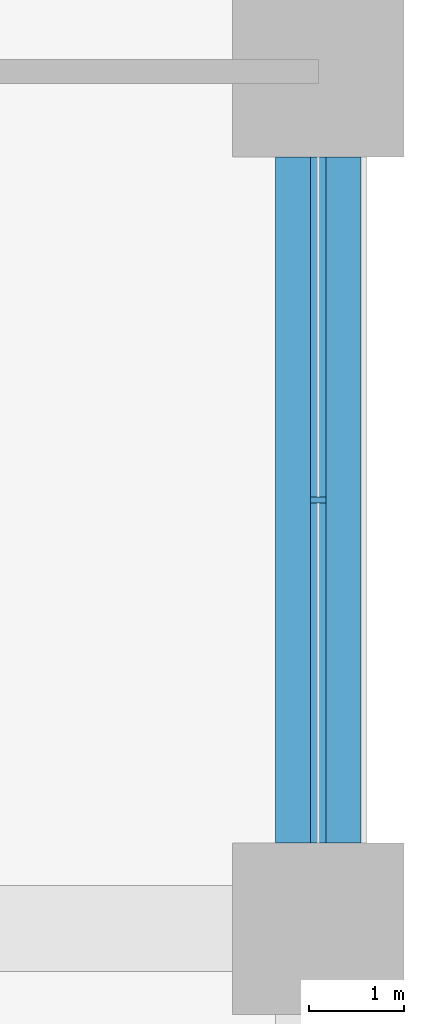
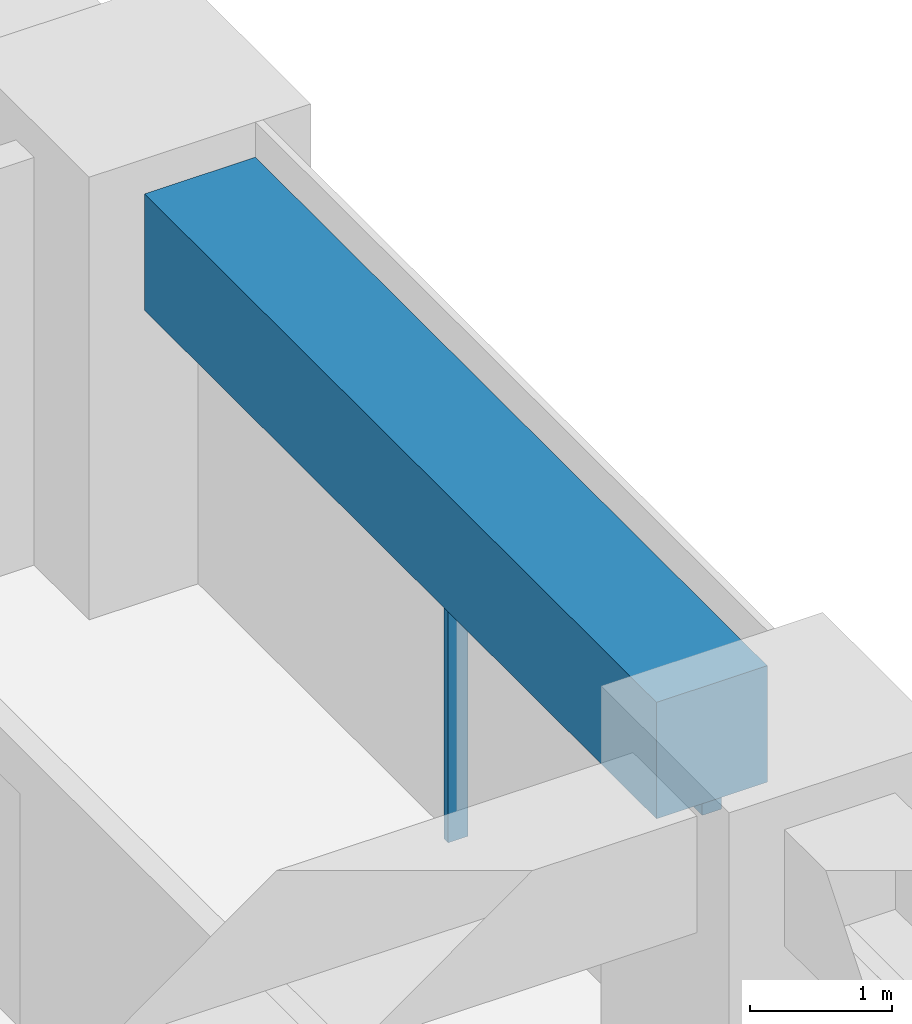
# One storey, part 6 of 24: 2 members, 1 beam, 1 element without a shape of its own.
"""IFC4 building model written with IfcOpenShell, lengths in metres."""

import ifcopenshell
import ifcopenshell.guid

model = None  # the IFC model being written
_history = None  # IfcOwnerHistory: only IFC2X3 demands one
_inside = {}  # id of a spatial element -> (the spatial element, [elements in it])
_under = {}  # id of a project, library or spatial element -> (it, [spatial elements below it])
_declared = {}  # id of a project -> (the project, [libraries it declares])
_typed = {}  # id of a type object -> (the type object, [elements of that type])
_made_of = {}  # id of a material, layer set ... -> (it, [elements and type objects made of it])


def new_model(schema):
    """Start an empty IFC model of exactly this schema.

    Asked for "IFC4X3", IfcOpenShell would pick the latest addendum, in which some entities
    have other attributes; the version numbers below select the first issue.
    IFC2X3 requires an IfcOwnerHistory on every rooted entity: one is made here for all.
    """
    global model, _history
    if schema == "IFC4X3":
        model = ifcopenshell.file(schema_version=(4, 3, 0, 0))
    else:
        model = ifcopenshell.file(schema=schema)
    _inside.clear()
    _under.clear()
    _declared.clear()
    _typed.clear()
    _made_of.clear()
    _history = None
    if model.schema == "IFC2X3":
        org = make("IfcOrganization", Name="unknown")
        user = make(
            "IfcPersonAndOrganization",
            ThePerson=make("IfcPerson", FamilyName="unknown"),
            TheOrganization=org,
        )
        app = make(
            "IfcApplication",
            ApplicationDeveloper=org,
            Version="unknown",
            ApplicationFullName="unknown",
            ApplicationIdentifier="unknown",
        )
        _history = make(
            "IfcOwnerHistory",
            OwningUser=user,
            OwningApplication=app,
            ChangeAction="ADDED",
            CreationDate=0,
        )
    return model


def make(cls, **values):
    """One entity of the class cls with the attributes given. An attribute that is None is left unset."""
    return model.create_entity(
        cls, **{name: value for name, value in values.items() if value is not None}
    )


def rooted(cls, **values):
    """An entity with a GlobalId (a new one), such as an element, a storey or a relation."""
    return make(cls, GlobalId=ifcopenshell.guid.new(), OwnerHistory=_history, **values)


def si_unit(unit_type, name, prefix=None):
    """IfcSIUnit, for example si_unit("LENGTHUNIT", "METRE", prefix="MILLI")."""
    return make("IfcSIUnit", UnitType=unit_type, Prefix=prefix, Name=name)


def assignment(units):
    """IfcUnitAssignment: the units of a project."""
    return None if units is None else make("IfcUnitAssignment", Units=units)


def point(xyz):
    """IfcCartesianPoint."""
    return None if xyz is None else make("IfcCartesianPoint", Coordinates=xyz)


def direction(xyz):
    """IfcDirection."""
    return None if xyz is None else make("IfcDirection", DirectionRatios=xyz)


def frame(location, z_axis=None, x_axis=None):
    """IfcAxis2Placement3D, a coordinate frame: its origin and axes. An axis left out is left unset."""
    return make(
        "IfcAxis2Placement3D",
        Location=point(location),
        Axis=direction(z_axis),
        RefDirection=direction(x_axis),
    )


def frame_2d(location, x_axis=None):
    """IfcAxis2Placement2D, a coordinate frame in the plane: its origin and x axis."""
    return make(
        "IfcAxis2Placement2D", Location=point(location), RefDirection=direction(x_axis)
    )


def origin():
    """The frame at (0, 0, 0) with its axes left unset."""
    return frame((0.0, 0.0, 0.0))


def origin_2d():
    """The frame at (0, 0) in the plane with its x axis left unset."""
    return frame_2d((0.0, 0.0))


def place(relative_to, where):
    """IfcLocalPlacement: puts the frame where relative to a parent placement (None: the world)."""
    return make(
        "IfcLocalPlacement", PlacementRelTo=relative_to, RelativePlacement=where
    )


def context(
    kind, dimensions, precision=None, world=None, true_north=None, identifier=None
):
    """IfcGeometricRepresentationContext, for example the 3D "Model" context."""
    return make(
        "IfcGeometricRepresentationContext",
        ContextIdentifier=identifier,
        ContextType=kind,
        CoordinateSpaceDimension=dimensions,
        Precision=precision,
        WorldCoordinateSystem=world,
        TrueNorth=true_north,
    )


def subcontext(parent, identifier, kind, view, scale=None):
    """IfcGeometricRepresentationSubContext, for example "Body" below "Model"."""
    return make(
        "IfcGeometricRepresentationSubContext",
        ContextIdentifier=identifier,
        ContextType=kind,
        ParentContext=parent,
        TargetScale=scale,
        TargetView=view,
    )


def project(units=None, contexts=None):
    """IfcProject with its units and contexts."""
    return rooted(
        "IfcProject",
        Name="project",
        RepresentationContexts=contexts,
        UnitsInContext=assignment(units),
    )


def spatial(cls, under=None, at=None, **own):
    """A site, building, storey or space (cls), placed at a placement, below another one or the project."""
    s = rooted(cls, ObjectPlacement=at, **own)
    if under is not None:
        _under.setdefault(under.id(), (under, []))[1].append(s)
    return s


def profile(cls, at=None, kind="AREA", **sizes):
    """A parametric profile (cls). Its sizes go by their IFC names, for example OverallWidth=200.0."""
    return make(cls, ProfileType=kind, Position=at, **sizes)


def rectangle(**sizes):
    """IfcRectangleProfileDef."""
    return profile("IfcRectangleProfileDef", **sizes)


def extrude(swept, where, along, depth):
    """IfcExtrudedAreaSolid: the profile swept, set in the frame where, extruded along a direction by depth."""
    return make(
        "IfcExtrudedAreaSolid",
        SweptArea=swept,
        Position=where,
        ExtrudedDirection=direction(along),
        Depth=depth,
    )


def shape(context_of_items, identifier, shape_type, items):
    """IfcShapeRepresentation: the items that make up one representation, for example the "Body"."""
    return make(
        "IfcShapeRepresentation",
        ContextOfItems=context_of_items,
        RepresentationIdentifier=identifier,
        RepresentationType=shape_type,
        Items=items,
    )


def material(Name=None, Category=None):
    """IfcMaterial."""
    return make("IfcMaterial", Name=Name, Category=Category)


def material_profile(
    of_material, cross_section, Name=None, Category=None, Priority=None
):
    """IfcMaterialProfile: a cross section and its material."""
    return make(
        "IfcMaterialProfile",
        Name=Name,
        Material=of_material,
        Profile=cross_section,
        Priority=Priority,
        Category=Category,
    )


def profile_set(profiles, Name=None, composite=None):
    """IfcMaterialProfileSet."""
    return make(
        "IfcMaterialProfileSet",
        Name=Name,
        MaterialProfiles=profiles,
        CompositeProfile=composite,
    )


def made_of(thing, what):
    """Note that an element or type object is made of a material, layer set ...; save() writes the relation."""
    if what is not None:
        _made_of.setdefault(what.id(), (what, []))[1].append(thing)
    return thing


def type_object(cls, material=None, **own):
    """A type object (cls), such as IfcWallType, which elements share."""
    return made_of(rooted(cls, **own), material)


def element(
    cls,
    number,
    at=None,
    inside=None,
    cuts=None,
    type_object=None,
    material=None,
    context=None,
    identifier="Body",
    shape_type=None,
    held_by="IfcProductDefinitionShape",
    body=None,
    shapes=None,
    **own,
):
    """One element of the class cls, such as IfcWall. Its Tag is "e" and its number.

    at: its placement. inside: the storey or other place that contains it. cuts: it is an
    opening in that element (IfcRelVoidsElement). A single representation is given by context,
    identifier, shape_type and body (its items); several are given by shapes. held_by: the class
    of the entity that holds the representations. save() writes the other relations.
    """
    e = rooted(cls, Tag="e%d" % number, ObjectPlacement=at, **own)
    if body is not None:
        shapes = [shape(context, identifier, shape_type, body)]
    if shapes is not None:
        e.Representation = make(held_by, Representations=shapes)
    if inside is not None:
        _inside.setdefault(inside.id(), (inside, []))[1].append(e)
    if cuts is not None:
        rooted(
            "IfcRelVoidsElement", RelatingBuildingElement=cuts, RelatedOpeningElement=e
        )
    if type_object is not None:
        _typed.setdefault(type_object.id(), (type_object, []))[1].append(e)
    return made_of(e, material)


def aggregate(whole, parts):
    """IfcRelAggregates: a whole, such as a stair, and the parts it consists of."""
    return rooted("IfcRelAggregates", RelatingObject=whole, RelatedObjects=parts)


def save(model, path):
    """Write the relations noted so far, then the file.

    IfcRelAggregates (storeys below a building ...), IfcRelContainedInSpatialStructure (elements
    in a storey), IfcRelDefinesByType, IfcRelAssociatesMaterial and IfcRelDeclares: one each for
    every whole, place, type object, material and project.
    """
    for whole, parts in _under.values():
        aggregate(whole, parts)
    for where, things in _inside.values():
        rooted(
            "IfcRelContainedInSpatialStructure",
            RelatedElements=things,
            RelatingStructure=where,
        )
    for kind, things in _typed.values():
        rooted("IfcRelDefinesByType", RelatedObjects=things, RelatingType=kind)
    for what, things in _made_of.values():
        rooted("IfcRelAssociatesMaterial", RelatedObjects=things, RelatingMaterial=what)
    for by, libraries in _declared.values():
        rooted("IfcRelDeclares", RelatingContext=by, RelatedDefinitions=libraries)
    model.write(path)


model = new_model("IFC4")

# Units and contexts
model_context = context("Model", 3, precision=1e-05, world=origin(), true_north=direction((0.0, 1.0)))
body_context = subcontext(model_context, "Body", "Model", "MODEL_VIEW")
ifc_project = project(units=[si_unit("LENGTHUNIT", "METRE"), si_unit("AREAUNIT", "SQUARE_METRE"), si_unit("VOLUMEUNIT", "CUBIC_METRE"), si_unit("PLANEANGLEUNIT", "RADIAN"), si_unit("MASSUNIT", "GRAM", prefix="KILO")], contexts=[model_context])

# Site, building, storey
site_placement = place(None, origin())
site = spatial("IfcSite", under=ifc_project, at=site_placement, CompositionType="ELEMENT")
building_placement = place(site_placement, origin())
building = spatial("IfcBuilding", under=site, at=building_placement, Name="Tessera Arch", CompositionType="ELEMENT")
storey_placement = place(building_placement, frame((0.0, 0.0, 112.0)))
storey = spatial("IfcBuildingStorey", under=building, at=storey_placement, Name="L26", CompositionType="ELEMENT", Elevation=112.0)

# Curtain wall, members
ifc_material_1 = material(Name="CW1 curtain wall")
curtain_wall_type = type_object("IfcCurtainWallType", Name="CW1 curtain wall", PredefinedType="NOTDEFINED", material=ifc_material_1)
curtain_wall_placement = place(storey_placement, origin())
curtain_wall = element("IfcCurtainWall", 1, at=curtain_wall_placement, inside=storey, type_object=curtain_wall_type, Name="CW1 curtain wall E54.0/3 L26", PredefinedType="NOTDEFINED")
ifc_material_2 = material(Name="Anodised aluminium pale metal", Category="aluminium")
ifc_material_profile_1 = material_profile(ifc_material_2, rectangle(XDim=0.159912109375, YDim=0.06005859375, at=origin_2d()), Name="AL 60x160")
ifc_profile_set_1 = profile_set([ifc_material_profile_1], Name="Anodised aluminium pale metal")
member_type_1 = type_object("IfcMemberType", Name="CW1 mullion", PredefinedType="MULLION", material=ifc_profile_set_1)
member_1_placement = place(storey_placement, frame((54.0, 31.5, 0.0), z_axis=(0.0, 0.0, 1.0), x_axis=(-1.0, 0.0, 0.0)))
member_1 = element("IfcMember", 2, at=member_1_placement, type_object=member_type_1, Name="CW1 mullion E54.0/3 1", PredefinedType="MULLION", context=body_context, shape_type="SweptSolid", body=[
    extrude(rectangle(XDim=0.159912109375, YDim=0.06005859375, at=origin_2d()), origin(), (0.0, 0.0, 1.0), 2.39990234375),
])
ifc_material_3 = material(Name="Anodised aluminium pale metal", Category="aluminium")
ifc_material_profile_2 = material_profile(ifc_material_3, rectangle(XDim=0.159912109375, YDim=0.10009765625, at=origin_2d()), Name="AL 160x100")
ifc_profile_set_2 = profile_set([ifc_material_profile_2], Name="Anodised aluminium pale metal")
member_type_2 = type_object("IfcMemberType", Name="CW1 transom", PredefinedType="USERDEFINED", material=ifc_profile_set_2)
member_2_placement = place(storey_placement, frame((54.0, 27.89990234375, 2.449951171875), z_axis=(0.0, 1.0, 0.0), x_axis=(-1.0, 0.0, 0.0)))
member_2 = element("IfcMember", 3, at=member_2_placement, type_object=member_type_2, Name="CW1 transom E54.0/3 1.1", ObjectType="TRANSOM", PredefinedType="USERDEFINED", context=body_context, shape_type="SweptSolid", body=[
    extrude(rectangle(XDim=0.159912109375, YDim=0.10009765625, at=origin_2d()), origin(), (0.0, 0.0, 1.0), 7.2001953125),
])
aggregate(curtain_wall, [member_1, member_2])

# Beam
ifc_material_4 = material(Name="Concrete C80/95", Category="concrete")
ifc_material_profile_3 = material_profile(ifc_material_4, rectangle(XDim=0.89990234375, YDim=1.0, at=origin_2d()), Name="RC spandrel beam 900 x 1000 Concrete C80/95")
ifc_profile_set_3 = profile_set([ifc_material_profile_3], Name="Concrete C80/95")
beam_type = type_object("IfcBeamType", Name="RC spandrel beam 900 x 1000 Concrete C80/95", PredefinedType="BEAM", material=ifc_profile_set_3)
beam_placement = place(storey_placement, frame((54.0, 27.89990234375, 3.0), z_axis=(0.0, 1.0, 0.0), x_axis=(-1.0, 0.0, 0.0)))
element("IfcBeam", 4, at=beam_placement, inside=storey, type_object=beam_type, Name="Spandrel beam L26 E54.0/3", PredefinedType="BEAM", context=body_context, shape_type="SweptSolid", body=[
    extrude(rectangle(XDim=0.89990234375, YDim=1.0, at=origin_2d()), origin(), (0.0, 0.0, 1.0), 7.2001953125),
])

save(model, "model.ifc")
